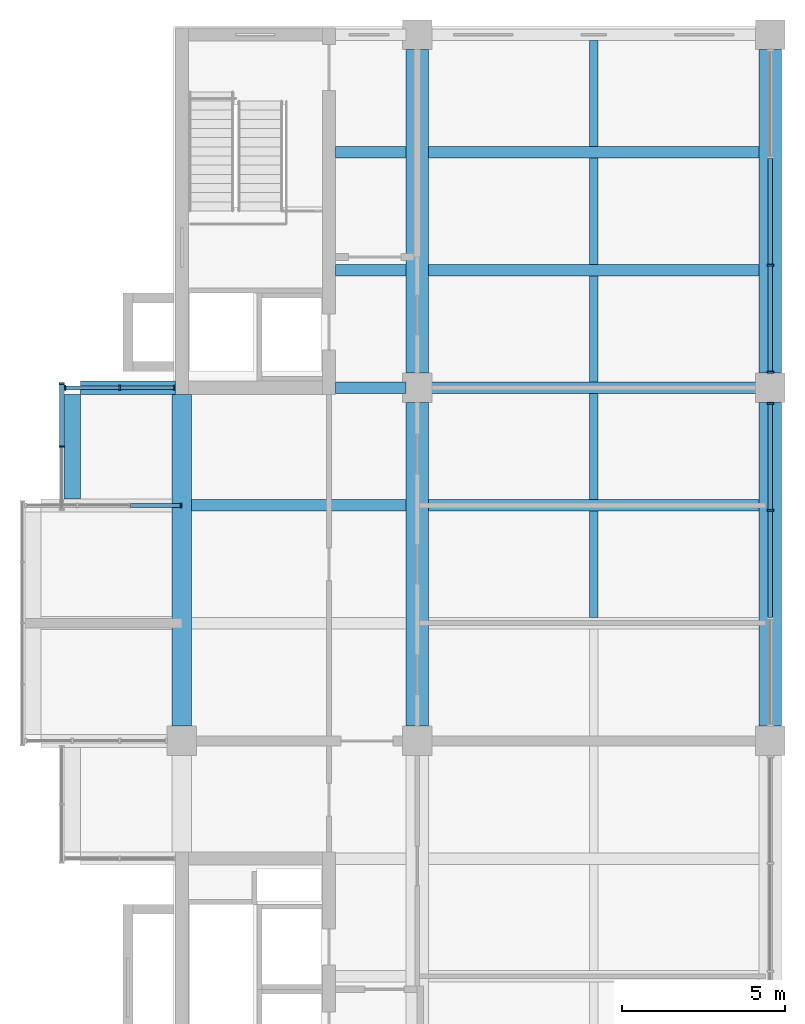
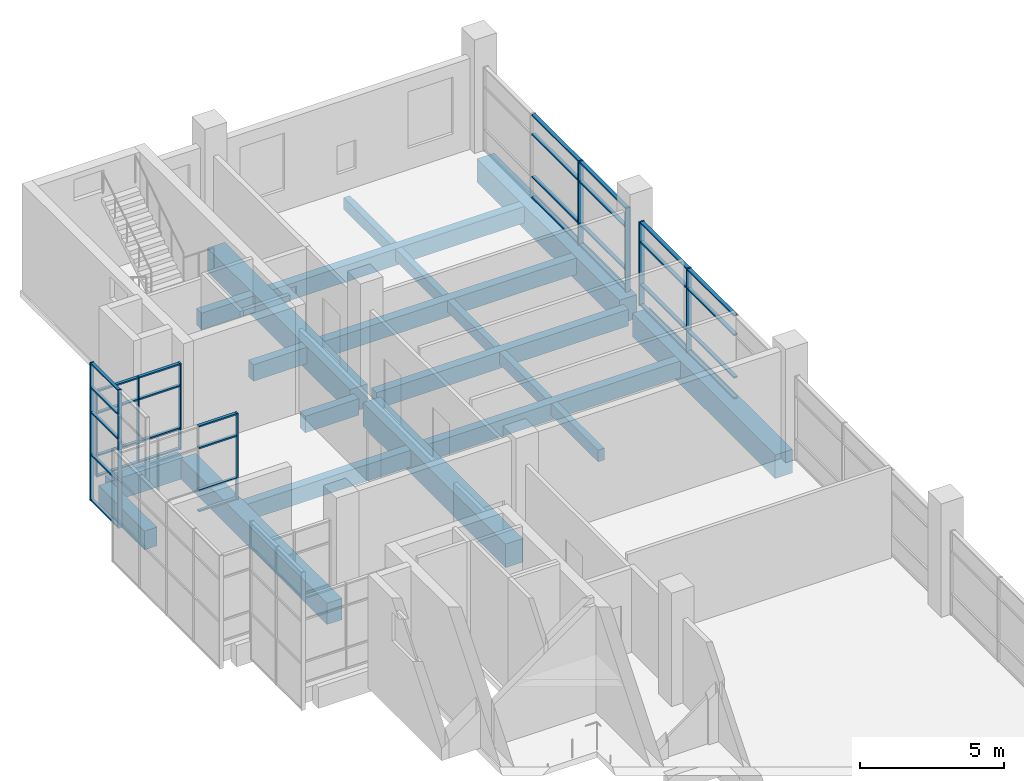
# One storey, part 7 of 15: 43 members, 20 beams, 5 elements without a shape of their own.
"""IFC4 building model written with IfcOpenShell, lengths in metres."""

from ifc_helpers import new_model, si_unit, direction, frame, origin, origin_2d, place, context, subcontext, project, spatial, rectangle, extrude, material, layer, layer_set, material_profile, profile_set, type_object, element, aggregate, save


model = new_model("IFC4")

# Units and contexts
model_context = context("Model", 3, precision=1e-05, world=origin(), true_north=direction((0.0, 1.0)))
body_context = subcontext(model_context, "Body", "Model", "MODEL_VIEW")
ifc_project = project(units=[si_unit("LENGTHUNIT", "METRE"), si_unit("AREAUNIT", "SQUARE_METRE"), si_unit("VOLUMEUNIT", "CUBIC_METRE"), si_unit("PLANEANGLEUNIT", "RADIAN"), si_unit("MASSUNIT", "GRAM", prefix="KILO")], contexts=[model_context])

# Site, building, storey
site_placement = place(None, origin())
site = spatial("IfcSite", under=ifc_project, at=site_placement, CompositionType="ELEMENT")
building_placement = place(site_placement, origin())
building = spatial("IfcBuilding", under=site, at=building_placement, Name="Basin Gate Institute", CompositionType="ELEMENT")
storey_placement = place(building_placement, frame((0.0, 0.0, 55.800048828125)))
storey = spatial("IfcBuildingStorey", under=building, at=storey_placement, Name="L11", CompositionType="ELEMENT", Elevation=55.800048828125)

# Beams
ifc_material_1 = material(Name="Concrete 40 MPa", Category="concrete")
ifc_material_profile_1 = material_profile(ifc_material_1, rectangle(XDim=0.35009765625, YDim=0.699951171875, at=origin_2d()), Name="Beam B1 350 x 700")
ifc_profile_set_1 = profile_set([ifc_material_profile_1], Name="Concrete 40 MPa")
beam_type_1 = type_object("IfcBeamType", Name="Beam B1 R120", PredefinedType="BEAM", material=ifc_profile_set_1)
beam_1_placement = place(storey_placement, frame((68.75, 85.5, -0.60009765625), z_axis=(1.0, 0.0, 0.0), x_axis=(0.0, 1.0, 0.0)))
element("IfcBeam", 1, at=beam_1_placement, inside=storey, type_object=beam_type_1, material=ifc_profile_set_1, Name="BEAM/L11/W/EW/15", PredefinedType="BEAM", context=body_context, shape_type="SweptSolid", body=[
    extrude(rectangle(XDim=0.35009765625, YDim=0.699951171875, at=origin_2d()), origin(), (0.0, 0.0, 1.0), 10.10009765625),
])
beam_2_placement = place(storey_placement, frame((61.5, 85.5, -0.60009765625), z_axis=(1.0, 0.0, 0.0), x_axis=(0.0, 1.0, 0.0)))
element("IfcBeam", 2, at=beam_2_placement, inside=storey, type_object=beam_type_1, material=ifc_profile_set_1, Name="BEAM/L11/W/OUT/15", PredefinedType="BEAM", context=body_context, shape_type="SweptSolid", body=[
    extrude(rectangle(XDim=0.35009765625, YDim=0.699951171875, at=origin_2d()), origin(), (0.0, 0.0, 1.0), 6.550048828125),
])
beam_3_placement = place(storey_placement, frame((68.75, 89.10009765625, -0.60009765625), z_axis=(1.0, 0.0, 0.0), x_axis=(0.0, 1.0, 0.0)))
element("IfcBeam", 3, at=beam_3_placement, inside=storey, type_object=beam_type_1, material=ifc_profile_set_1, Name="BEAM/L11/W/EW/16", PredefinedType="BEAM", context=body_context, shape_type="SweptSolid", body=[
    extrude(rectangle(XDim=0.35009765625, YDim=0.699951171875, at=origin_2d()), origin(), (0.0, 0.0, 1.0), 10.10009765625),
])
beam_4_placement = place(storey_placement, frame((65.89990234375, 89.10009765625, -0.60009765625), z_axis=(1.0, 0.0, 0.0), x_axis=(0.0, 1.0, 0.0)))
element("IfcBeam", 4, at=beam_4_placement, inside=storey, type_object=beam_type_1, material=ifc_profile_set_1, Name="BEAM/L11/W/CORR/16", PredefinedType="BEAM", context=body_context, shape_type="SweptSolid", body=[
    extrude(rectangle(XDim=0.35009765625, YDim=0.699951171875, at=origin_2d()), origin(), (0.0, 0.0, 1.0), 2.150146484375),
])
beam_5_placement = place(storey_placement, frame((68.75, 92.699951171875, -0.60009765625), z_axis=(1.0, 0.0, 0.0), x_axis=(0.0, 1.0, 0.0)))
element("IfcBeam", 5, at=beam_5_placement, inside=storey, type_object=beam_type_1, material=ifc_profile_set_1, Name="BEAM/L11/W/EW/17", PredefinedType="BEAM", context=body_context, shape_type="SweptSolid", body=[
    extrude(rectangle(XDim=0.35009765625, YDim=0.699951171875, at=origin_2d()), origin(), (0.0, 0.0, 1.0), 10.10009765625),
])
beam_6_placement = place(storey_placement, frame((65.89990234375, 92.699951171875, -0.60009765625), z_axis=(1.0, 0.0, 0.0), x_axis=(0.0, 1.0, 0.0)))
element("IfcBeam", 6, at=beam_6_placement, inside=storey, type_object=beam_type_1, material=ifc_profile_set_1, Name="BEAM/L11/W/CORR/17", PredefinedType="BEAM", context=body_context, shape_type="SweptSolid", body=[
    extrude(rectangle(XDim=0.35009765625, YDim=0.699951171875, at=origin_2d()), origin(), (0.0, 0.0, 1.0), 2.150146484375),
])
beam_7_placement = place(storey_placement, frame((68.75, 96.300048828125, -0.60009765625), z_axis=(1.0, 0.0, 0.0), x_axis=(0.0, 1.0, 0.0)))
element("IfcBeam", 7, at=beam_7_placement, inside=storey, type_object=beam_type_1, material=ifc_profile_set_1, Name="BEAM/L11/W/EW/18", PredefinedType="BEAM", context=body_context, shape_type="SweptSolid", body=[
    extrude(rectangle(XDim=0.35009765625, YDim=0.699951171875, at=origin_2d()), origin(), (0.0, 0.0, 1.0), 10.10009765625),
])
beam_8_placement = place(storey_placement, frame((65.89990234375, 96.300048828125, -0.60009765625), z_axis=(1.0, 0.0, 0.0), x_axis=(0.0, 1.0, 0.0)))
element("IfcBeam", 8, at=beam_8_placement, inside=storey, type_object=beam_type_1, material=ifc_profile_set_1, Name="BEAM/L11/W/CORR/18", PredefinedType="BEAM", context=body_context, shape_type="SweptSolid", body=[
    extrude(rectangle(XDim=0.35009765625, YDim=0.699951171875, at=origin_2d()), origin(), (0.0, 0.0, 1.0), 2.150146484375),
])
ifc_material_2 = material(Name="Concrete 50 MPa", Category="concrete")
ifc_material_profile_2 = material_profile(ifc_material_2, rectangle(XDim=0.39990234375, YDim=0.89990234375, at=origin_2d()), Name="Cantilever beam B3 400 x 900")
ifc_profile_set_2 = profile_set([ifc_material_profile_2], Name="Concrete 50 MPa")
beam_type_2 = type_object("IfcBeamType", Name="Cantilever beam B3 R120", PredefinedType="BEAM", material=ifc_profile_set_2)
beam_9_placement = place(storey_placement, frame((58.10009765625, 89.10009765625, -0.699951171875), z_axis=(1.0, 0.0, 0.0), x_axis=(0.0, 1.0, 0.0)))
element("IfcBeam", 9, at=beam_9_placement, inside=storey, type_object=beam_type_2, material=ifc_profile_set_2, Name="BEAM/L11/W/CANT/16", PredefinedType="BEAM", context=body_context, shape_type="SweptSolid", body=[
    extrude(rectangle(XDim=0.39990234375, YDim=0.89990234375, at=origin_2d()), origin(), (0.0, 0.0, 1.0), 2.89990234375),
])
ifc_material_3 = material(Name="Concrete 50 MPa", Category="concrete")
ifc_material_profile_3 = material_profile(ifc_material_3, rectangle(XDim=0.60009765625, YDim=0.89990234375, at=origin_2d()), Name="Edge beam EB1 600 x 900")
ifc_profile_set_3 = profile_set([ifc_material_profile_3], Name="Concrete 50 MPa")
beam_type_3 = type_object("IfcBeamType", Name="Edge beam EB1 R120", PredefinedType="SPANDREL", material=ifc_profile_set_3)
beam_10_placement = place(storey_placement, frame((61.199951171875, 78.75, -0.699951171875), z_axis=(0.0, 1.0, 0.0), x_axis=(-1.0, 0.0, 0.0)))
element("IfcBeam", 10, at=beam_10_placement, inside=storey, type_object=beam_type_3, material=ifc_profile_set_3, Name="BEAM/L11/W/EDGE/4", PredefinedType="SPANDREL", context=body_context, shape_type="SweptSolid", body=[
    extrude(rectangle(XDim=0.60009765625, YDim=0.89990234375, at=origin_2d()), origin(), (0.0, 0.0, 1.0), 10.14990234375),
])
ifc_material_4 = material(Name="Concrete 50 MPa", Category="concrete")
ifc_material_profile_4 = material_profile(ifc_material_4, rectangle(XDim=0.699951171875, YDim=1.0, at=origin_2d()), Name="Girder G1 700 x 1000")
ifc_profile_set_4 = profile_set([ifc_material_profile_4], Name="Concrete 50 MPa")
beam_type_4 = type_object("IfcBeamType", Name="Girder G1 R120", PredefinedType="BEAM", material=ifc_profile_set_4)
for number, where, z_axis, x_axis, name in (
    (11, (68.39990234375, 78.75, -0.75), (0.0, 1.0, 0.0), (-1.0, 0.0, 0.0), "GIR/L11/W5/5"),
    (12, (68.39990234375, 89.550048828125, -0.75), (0.0, 1.0, 0.0), (-1.0, 0.0, 0.0), "GIR/L11/W5/6"),
    (13, (79.199951171875, 78.75, -0.75), (0.0, 1.0, 0.0), (-1.0, 0.0, 0.0), "GIR/L11/W6/5"),
    (14, (79.199951171875, 89.550048828125, -0.75), (0.0, 1.0, 0.0), (-1.0, 0.0, 0.0), "GIR/L11/W6/6"),
):
    element("IfcBeam", number, at=place(storey_placement, frame(where, z_axis=z_axis, x_axis=x_axis)), inside=storey, type_object=beam_type_4, material=ifc_profile_set_4, Name=name, PredefinedType="BEAM", context=body_context, shape_type="SweptSolid", body=[
        extrude(rectangle(XDim=0.699951171875, YDim=1.0, at=origin_2d()), origin(), (0.0, 0.0, 1.0), 9.89990234375),
    ])

# Curtain wall, member
ifc_material_5 = material(Name="Aluminium-framed glazing", Category="aluminium")
ifc_layer_1 = layer(ifc_material_5, 0.14990234375)
ifc_layer_set_1 = layer_set([ifc_layer_1], Name="Capsule front curtain wall CW1")
curtain_wall_type_1 = type_object("IfcCurtainWallType", Name="Capsule front curtain wall CW1", PredefinedType="NOTDEFINED", material=ifc_layer_set_1)
curtain_wall_1_placement = place(storey_placement, origin())
curtain_wall_1 = element("IfcCurtainWall", 15, at=curtain_wall_1_placement, inside=storey, type_object=curtain_wall_type_1, material=ifc_layer_set_1, Name="Capsule front curtain wall W wing capsule end L11 line 15", PredefinedType="NOTDEFINED")
ifc_material_6 = material(Name="Aluminium", Category="aluminium")
ifc_material_profile_5 = material_profile(ifc_material_6, rectangle(XDim=0.14990234375, YDim=0.050048828125, at=origin_2d()), Name="Mullion MU1 150 x 50")
ifc_profile_set_5 = profile_set([ifc_material_profile_5], Name="Aluminium")
member_type_1 = type_object("IfcMemberType", Name="Mullion MU1", PredefinedType="MULLION", material=ifc_profile_set_5)
member_1_placement = place(storey_placement, frame((61.175048828125, 85.5, 0.0), z_axis=(0.0, 0.0, 1.0), x_axis=(0.0, 1.0, 0.0)))
member_1 = element("IfcMember", 16, at=member_1_placement, type_object=member_type_1, material=ifc_profile_set_5, Name="CW1 mullion 4", PredefinedType="MULLION", context=body_context, shape_type="SweptSolid", body=[
    extrude(rectangle(XDim=0.14990234375, YDim=0.050048828125, at=origin_2d()), origin(), (0.0, 0.0, 1.0), 3.64990234375),
])

# Curtain wall, members
curtain_wall_2_placement = place(storey_placement, origin())
curtain_wall_2 = element("IfcCurtainWall", 17, at=curtain_wall_2_placement, inside=storey, type_object=curtain_wall_type_1, material=ifc_layer_set_1, Name="Capsule front curtain wall W wing capsule end L11 line 16", PredefinedType="NOTDEFINED")
member_2_placement = place(storey_placement, frame((57.625, 89.10009765625, 0.0), z_axis=(0.0, 0.0, 1.0), x_axis=(0.0, 1.0, 0.0)))
member_2 = element("IfcMember", 18, at=member_2_placement, type_object=member_type_1, material=ifc_profile_set_5, Name="CW1 mullion 1", PredefinedType="MULLION", context=body_context, shape_type="SweptSolid", body=[
    extrude(rectangle(XDim=0.14990234375, YDim=0.050048828125, at=origin_2d()), origin(), (0.0, 0.0, 1.0), 3.64990234375),
])
member_3_placement = place(storey_placement, frame((59.300048828125, 89.10009765625, 0.0), z_axis=(0.0, 0.0, 1.0), x_axis=(0.0, 1.0, 0.0)))
member_3 = element("IfcMember", 19, at=member_3_placement, type_object=member_type_1, material=ifc_profile_set_5, Name="CW1 mullion 2", PredefinedType="MULLION", context=body_context, shape_type="SweptSolid", body=[
    extrude(rectangle(XDim=0.14990234375, YDim=0.050048828125, at=origin_2d()), origin(), (0.0, 0.0, 1.0), 3.64990234375),
])
member_4_placement = place(storey_placement, frame((60.97509765625, 89.10009765625, 0.0), z_axis=(0.0, 0.0, 1.0), x_axis=(0.0, 1.0, 0.0)))
member_4 = element("IfcMember", 20, at=member_4_placement, type_object=member_type_1, material=ifc_profile_set_5, Name="CW1 mullion 3", PredefinedType="MULLION", context=body_context, shape_type="SweptSolid", body=[
    extrude(rectangle(XDim=0.14990234375, YDim=0.050048828125, at=origin_2d()), origin(), (0.0, 0.0, 1.0), 3.64990234375),
])

curtain_wall_3_placement = place(storey_placement, origin())
curtain_wall_3 = element("IfcCurtainWall", 21, at=curtain_wall_3_placement, inside=storey, type_object=curtain_wall_type_1, material=ifc_layer_set_1, Name="Capsule front curtain wall W wing capsule 2 L11 front 4", PredefinedType="NOTDEFINED")
member_5_placement = place(storey_placement, frame((57.52490234375, 87.300048828125, -1.050048828125), z_axis=(0.0, 0.0, 1.0), x_axis=(-1.0, 0.0, 0.0)))
member_5 = element("IfcMember", 22, at=member_5_placement, type_object=member_type_1, material=ifc_profile_set_5, Name="CW1 mullion 2", PredefinedType="MULLION", context=body_context, shape_type="SweptSolid", body=[
    extrude(rectangle(XDim=0.14990234375, YDim=0.050048828125, at=origin_2d()), origin(), (0.0, 0.0, 1.0), 5.85009765625),
])
member_6_placement = place(storey_placement, frame((57.52490234375, 89.22509765625, -1.050048828125), z_axis=(0.0, 0.0, 1.0), x_axis=(-1.0, 0.0, 0.0)))
member_6 = element("IfcMember", 23, at=member_6_placement, type_object=member_type_1, material=ifc_profile_set_5, Name="CW1 mullion 3", PredefinedType="MULLION", context=body_context, shape_type="SweptSolid", body=[
    extrude(rectangle(XDim=0.14990234375, YDim=0.050048828125, at=origin_2d()), origin(), (0.0, 0.0, 1.0), 5.85009765625),
])

ifc_material_7 = material(Name="Aluminium-framed glazing", Category="aluminium")
ifc_layer_2 = layer(ifc_material_7, 0.199951171875)
ifc_layer_set_2 = layer_set([ifc_layer_2], Name="Atrium curtain wall CW2")
curtain_wall_type_2 = type_object("IfcCurtainWallType", Name="Atrium curtain wall CW2", PredefinedType="NOTDEFINED", material=ifc_layer_set_2)
curtain_wall_4_placement = place(storey_placement, origin())
curtain_wall_4 = element("IfcCurtainWall", 24, at=curtain_wall_4_placement, inside=storey, type_object=curtain_wall_type_2, material=ifc_layer_set_2, Name="Atrium curtain wall W wing atrium bay 5 L11", PredefinedType="NOTDEFINED")
ifc_material_8 = material(Name="Aluminium", Category="aluminium")
ifc_material_profile_6 = material_profile(ifc_material_8, rectangle(XDim=0.199951171875, YDim=0.06005859375, at=origin_2d()), Name="Mullion MU2 200 x 60")
ifc_profile_set_6 = profile_set([ifc_material_profile_6], Name="Aluminium")
member_type_2 = type_object("IfcMemberType", Name="Mullion MU2", PredefinedType="MULLION", material=ifc_profile_set_6)
member_7_placement = place(storey_placement, frame((79.199951171875, 85.35009765625, 0.0), z_axis=(0.0, 0.0, 1.0), x_axis=(-1.0, 0.0, 0.0)))
member_7 = element("IfcMember", 25, at=member_7_placement, type_object=member_type_2, material=ifc_profile_set_6, Name="CW2 mullion 3", PredefinedType="MULLION", context=body_context, shape_type="SweptSolid", body=[
    extrude(rectangle(XDim=0.199951171875, YDim=0.06005859375, at=origin_2d()), origin(), (0.0, 0.0, 1.0), 3.550048828125),
])
member_8_placement = place(storey_placement, frame((79.199951171875, 88.6201171875, 0.0), z_axis=(0.0, 0.0, 1.0), x_axis=(-1.0, 0.0, 0.0)))
member_8 = element("IfcMember", 26, at=member_8_placement, type_object=member_type_2, material=ifc_profile_set_6, Name="CW2 mullion 4", PredefinedType="MULLION", context=body_context, shape_type="SweptSolid", body=[
    extrude(rectangle(XDim=0.199951171875, YDim=0.06005859375, at=origin_2d()), origin(), (0.0, 0.0, 1.0), 3.550048828125),
])

curtain_wall_5_placement = place(storey_placement, origin())
curtain_wall_5 = element("IfcCurtainWall", 27, at=curtain_wall_5_placement, inside=storey, type_object=curtain_wall_type_2, material=ifc_layer_set_2, Name="Atrium curtain wall W wing atrium bay 6 L11", PredefinedType="NOTDEFINED")
member_9_placement = place(storey_placement, frame((79.199951171875, 89.580078125, 0.0), z_axis=(0.0, 0.0, 1.0), x_axis=(-1.0, 0.0, 0.0)))
member_9 = element("IfcMember", 28, at=member_9_placement, type_object=member_type_2, material=ifc_profile_set_6, Name="CW2 mullion 1", PredefinedType="MULLION", context=body_context, shape_type="SweptSolid", body=[
    extrude(rectangle(XDim=0.199951171875, YDim=0.06005859375, at=origin_2d()), origin(), (0.0, 0.0, 1.0), 3.550048828125),
])
member_10_placement = place(storey_placement, frame((79.199951171875, 92.85009765625, 0.0), z_axis=(0.0, 0.0, 1.0), x_axis=(-1.0, 0.0, 0.0)))
member_10 = element("IfcMember", 29, at=member_10_placement, type_object=member_type_2, material=ifc_profile_set_6, Name="CW2 mullion 2", PredefinedType="MULLION", context=body_context, shape_type="SweptSolid", body=[
    extrude(rectangle(XDim=0.199951171875, YDim=0.06005859375, at=origin_2d()), origin(), (0.0, 0.0, 1.0), 3.550048828125),
])

# Beams
ifc_material_9 = material(Name="Concrete 40 MPa", Category="concrete")
ifc_material_profile_7 = material_profile(ifc_material_9, rectangle(XDim=0.25, YDim=0.5, at=origin_2d()), Name="Rib R1 250 x 500")
ifc_profile_set_7 = profile_set([ifc_material_profile_7], Name="Concrete 40 MPa")
beam_type_5 = type_object("IfcBeamType", Name="Rib R1 R120", PredefinedType="JOIST", material=ifc_profile_set_7)
for number, where, z_axis, x_axis, name in (
    (30, (73.800048828125, 82.074951171875, -0.5), (0.0, 1.0, 0.0), (-1.0, 0.0, 0.0), "BEAM/L11/W/RIB/14"),
    (31, (73.800048828125, 85.675048828125, -0.5), (0.0, 1.0, 0.0), (-1.0, 0.0, 0.0), "BEAM/L11/W/RIB/15"),
    (32, (73.800048828125, 89.27490234375, -0.5), (0.0, 1.0, 0.0), (-1.0, 0.0, 0.0), "BEAM/L11/W/RIB/16"),
    (33, (73.800048828125, 92.875, -0.5), (0.0, 1.0, 0.0), (-1.0, 0.0, 0.0), "BEAM/L11/W/RIB/17"),
    (34, (73.800048828125, 96.47509765625, -0.5), (0.0, 1.0, 0.0), (-1.0, 0.0, 0.0), "BEAM/L11/W/RIB/18"),
):
    element("IfcBeam", number, at=place(storey_placement, frame(where, z_axis=z_axis, x_axis=x_axis)), inside=storey, type_object=beam_type_5, material=ifc_profile_set_7, Name=name, PredefinedType="JOIST", context=body_context, shape_type="SweptSolid", body=[
        extrude(rectangle(XDim=0.25, YDim=0.5, at=origin_2d()), origin(), (0.0, 0.0, 1.0), 3.25),
    ])
ifc_material_10 = material(Name="Concrete 50 MPa", Category="concrete")
ifc_material_profile_8 = material_profile(ifc_material_10, rectangle(XDim=0.5, YDim=0.800048828125, at=origin_2d()), Name="Tip beam TB1 500 x 800")
ifc_profile_set_8 = profile_set([ifc_material_profile_8], Name="Concrete 50 MPa")
beam_type_6 = type_object("IfcBeamType", Name="Tip beam TB1 R120", PredefinedType="SPANDREL", material=ifc_profile_set_8)
beam_11_placement = place(storey_placement, frame((57.85009765625, 85.699951171875, -0.650146484375), z_axis=(0.0, 1.0, 0.0), x_axis=(-1.0, 0.0, 0.0)))
element("IfcBeam", 35, at=beam_11_placement, inside=storey, type_object=beam_type_6, material=ifc_profile_set_8, Name="BEAM/L11/W/TIP/8", PredefinedType="SPANDREL", context=body_context, shape_type="SweptSolid", body=[
    extrude(rectangle(XDim=0.5, YDim=0.800048828125, at=origin_2d()), origin(), (0.0, 0.0, 1.0), 3.199951171875),
])

# Member
ifc_material_11 = material(Name="Aluminium", Category="aluminium")
ifc_material_profile_9 = material_profile(ifc_material_11, rectangle(XDim=0.1201171875, YDim=0.06005859375, at=origin_2d()), Name="Transom TR1 120 x 60")
ifc_profile_set_9 = profile_set([ifc_material_profile_9], Name="Aluminium")
member_type_3 = type_object("IfcMemberType", Name="Transom TR1", PredefinedType="USERDEFINED", material=ifc_profile_set_9)
member_11_placement = place(storey_placement, frame((59.625, 85.5, 0.030029296875), z_axis=(1.0, 0.0, 0.0), x_axis=(0.0, 1.0, 0.0)))
member_11 = element("IfcMember", 36, at=member_11_placement, type_object=member_type_3, material=ifc_profile_set_9, Name="CW1 transom 3.1", ObjectType="TRANSOM", PredefinedType="USERDEFINED", context=body_context, shape_type="SweptSolid", body=[
    extrude(rectangle(XDim=0.1201171875, YDim=0.06005859375, at=origin_2d()), origin(), (0.0, 0.0, 1.0), 1.52490234375),
])

member_12_placement = place(storey_placement, frame((59.625, 85.5, 0.89990234375), z_axis=(1.0, 0.0, 0.0), x_axis=(0.0, 1.0, 0.0)))
member_12 = element("IfcMember", 37, at=member_12_placement, type_object=member_type_3, material=ifc_profile_set_9, Name="CW1 transom 3.2", ObjectType="TRANSOM", PredefinedType="USERDEFINED", context=body_context, shape_type="SweptSolid", body=[
    extrude(rectangle(XDim=0.1201171875, YDim=0.06005859375, at=origin_2d()), origin(), (0.0, 0.0, 1.0), 1.52490234375),
])

member_13_placement = place(storey_placement, frame((59.625, 85.5, 2.699951171875), z_axis=(1.0, 0.0, 0.0), x_axis=(0.0, 1.0, 0.0)))
member_13 = element("IfcMember", 38, at=member_13_placement, type_object=member_type_3, material=ifc_profile_set_9, Name="CW1 transom 3.3", ObjectType="TRANSOM", PredefinedType="USERDEFINED", context=body_context, shape_type="SweptSolid", body=[
    extrude(rectangle(XDim=0.1201171875, YDim=0.06005859375, at=origin_2d()), origin(), (0.0, 0.0, 1.0), 1.52490234375),
])

member_14_placement = place(storey_placement, frame((59.625, 85.5, 3.619873046875), z_axis=(1.0, 0.0, 0.0), x_axis=(0.0, 1.0, 0.0)))
member_14 = element("IfcMember", 39, at=member_14_placement, type_object=member_type_3, material=ifc_profile_set_9, Name="CW1 transom 3.4", ObjectType="TRANSOM", PredefinedType="USERDEFINED", context=body_context, shape_type="SweptSolid", body=[
    extrude(rectangle(XDim=0.1201171875, YDim=0.06005859375, at=origin_2d()), origin(), (0.0, 0.0, 1.0), 1.52490234375),
])

aggregate(curtain_wall_1, [member_1, member_11, member_12, member_13, member_14])

member_15_placement = place(storey_placement, frame((57.64990234375, 89.10009765625, 0.030029296875), z_axis=(1.0, 0.0, 0.0), x_axis=(0.0, 1.0, 0.0)))
member_15 = element("IfcMember", 40, at=member_15_placement, type_object=member_type_3, material=ifc_profile_set_9, Name="CW1 transom 1.1", ObjectType="TRANSOM", PredefinedType="USERDEFINED", context=body_context, shape_type="SweptSolid", body=[
    extrude(rectangle(XDim=0.1201171875, YDim=0.06005859375, at=origin_2d()), origin(), (0.0, 0.0, 1.0), 1.625),
])

member_16_placement = place(storey_placement, frame((57.64990234375, 89.10009765625, 0.89990234375), z_axis=(1.0, 0.0, 0.0), x_axis=(0.0, 1.0, 0.0)))
member_16 = element("IfcMember", 41, at=member_16_placement, type_object=member_type_3, material=ifc_profile_set_9, Name="CW1 transom 1.2", ObjectType="TRANSOM", PredefinedType="USERDEFINED", context=body_context, shape_type="SweptSolid", body=[
    extrude(rectangle(XDim=0.1201171875, YDim=0.06005859375, at=origin_2d()), origin(), (0.0, 0.0, 1.0), 1.625),
])

member_17_placement = place(storey_placement, frame((57.64990234375, 89.10009765625, 2.699951171875), z_axis=(1.0, 0.0, 0.0), x_axis=(0.0, 1.0, 0.0)))
member_17 = element("IfcMember", 42, at=member_17_placement, type_object=member_type_3, material=ifc_profile_set_9, Name="CW1 transom 1.3", ObjectType="TRANSOM", PredefinedType="USERDEFINED", context=body_context, shape_type="SweptSolid", body=[
    extrude(rectangle(XDim=0.1201171875, YDim=0.06005859375, at=origin_2d()), origin(), (0.0, 0.0, 1.0), 1.625),
])

member_18_placement = place(storey_placement, frame((57.64990234375, 89.10009765625, 3.619873046875), z_axis=(1.0, 0.0, 0.0), x_axis=(0.0, 1.0, 0.0)))
member_18 = element("IfcMember", 43, at=member_18_placement, type_object=member_type_3, material=ifc_profile_set_9, Name="CW1 transom 1.4", ObjectType="TRANSOM", PredefinedType="USERDEFINED", context=body_context, shape_type="SweptSolid", body=[
    extrude(rectangle(XDim=0.1201171875, YDim=0.06005859375, at=origin_2d()), origin(), (0.0, 0.0, 1.0), 1.625),
])

member_19_placement = place(storey_placement, frame((59.324951171875, 89.10009765625, 0.030029296875), z_axis=(1.0, 0.0, 0.0), x_axis=(0.0, 1.0, 0.0)))
member_19 = element("IfcMember", 44, at=member_19_placement, type_object=member_type_3, material=ifc_profile_set_9, Name="CW1 transom 2.1", ObjectType="TRANSOM", PredefinedType="USERDEFINED", context=body_context, shape_type="SweptSolid", body=[
    extrude(rectangle(XDim=0.1201171875, YDim=0.06005859375, at=origin_2d()), origin(), (0.0, 0.0, 1.0), 1.625),
])

member_20_placement = place(storey_placement, frame((59.324951171875, 89.10009765625, 0.89990234375), z_axis=(1.0, 0.0, 0.0), x_axis=(0.0, 1.0, 0.0)))
member_20 = element("IfcMember", 45, at=member_20_placement, type_object=member_type_3, material=ifc_profile_set_9, Name="CW1 transom 2.2", ObjectType="TRANSOM", PredefinedType="USERDEFINED", context=body_context, shape_type="SweptSolid", body=[
    extrude(rectangle(XDim=0.1201171875, YDim=0.06005859375, at=origin_2d()), origin(), (0.0, 0.0, 1.0), 1.625),
])

member_21_placement = place(storey_placement, frame((59.324951171875, 89.10009765625, 2.699951171875), z_axis=(1.0, 0.0, 0.0), x_axis=(0.0, 1.0, 0.0)))
member_21 = element("IfcMember", 46, at=member_21_placement, type_object=member_type_3, material=ifc_profile_set_9, Name="CW1 transom 2.3", ObjectType="TRANSOM", PredefinedType="USERDEFINED", context=body_context, shape_type="SweptSolid", body=[
    extrude(rectangle(XDim=0.1201171875, YDim=0.06005859375, at=origin_2d()), origin(), (0.0, 0.0, 1.0), 1.625),
])

member_22_placement = place(storey_placement, frame((59.324951171875, 89.10009765625, 3.619873046875), z_axis=(1.0, 0.0, 0.0), x_axis=(0.0, 1.0, 0.0)))
member_22 = element("IfcMember", 47, at=member_22_placement, type_object=member_type_3, material=ifc_profile_set_9, Name="CW1 transom 2.4", ObjectType="TRANSOM", PredefinedType="USERDEFINED", context=body_context, shape_type="SweptSolid", body=[
    extrude(rectangle(XDim=0.1201171875, YDim=0.06005859375, at=origin_2d()), origin(), (0.0, 0.0, 1.0), 1.625),
])

aggregate(curtain_wall_2, [member_2, member_3, member_4, member_15, member_16, member_17, member_18, member_19, member_20, member_21, member_22])

member_23_placement = place(storey_placement, frame((57.52490234375, 87.324951171875, -1.02001953125), z_axis=(0.0, 1.0, 0.0), x_axis=(-1.0, 0.0, 0.0)))
member_23 = element("IfcMember", 48, at=member_23_placement, type_object=member_type_3, material=ifc_profile_set_9, Name="CW1 transom 2.1", ObjectType="TRANSOM", PredefinedType="USERDEFINED", context=body_context, shape_type="SweptSolid", body=[
    extrude(rectangle(XDim=0.1201171875, YDim=0.06005859375, at=origin_2d()), origin(), (0.0, 0.0, 1.0), 1.875),
])

member_24_placement = place(storey_placement, frame((57.52490234375, 87.324951171875, 0.89990234375), z_axis=(0.0, 1.0, 0.0), x_axis=(-1.0, 0.0, 0.0)))
member_24 = element("IfcMember", 49, at=member_24_placement, type_object=member_type_3, material=ifc_profile_set_9, Name="CW1 transom 2.2", ObjectType="TRANSOM", PredefinedType="USERDEFINED", context=body_context, shape_type="SweptSolid", body=[
    extrude(rectangle(XDim=0.1201171875, YDim=0.06005859375, at=origin_2d()), origin(), (0.0, 0.0, 1.0), 1.875),
])

member_25_placement = place(storey_placement, frame((57.52490234375, 87.324951171875, 2.699951171875), z_axis=(0.0, 1.0, 0.0), x_axis=(-1.0, 0.0, 0.0)))
member_25 = element("IfcMember", 50, at=member_25_placement, type_object=member_type_3, material=ifc_profile_set_9, Name="CW1 transom 2.3", ObjectType="TRANSOM", PredefinedType="USERDEFINED", context=body_context, shape_type="SweptSolid", body=[
    extrude(rectangle(XDim=0.1201171875, YDim=0.06005859375, at=origin_2d()), origin(), (0.0, 0.0, 1.0), 1.875),
])

member_26_placement = place(storey_placement, frame((57.52490234375, 87.324951171875, 3.75), z_axis=(0.0, 1.0, 0.0), x_axis=(-1.0, 0.0, 0.0)))
member_26 = element("IfcMember", 51, at=member_26_placement, type_object=member_type_3, material=ifc_profile_set_9, Name="CW1 transom 2.4", ObjectType="TRANSOM", PredefinedType="USERDEFINED", context=body_context, shape_type="SweptSolid", body=[
    extrude(rectangle(XDim=0.1201171875, YDim=0.06005859375, at=origin_2d()), origin(), (0.0, 0.0, 1.0), 1.875),
])

member_27_placement = place(storey_placement, frame((57.52490234375, 87.324951171875, 4.77001953125), z_axis=(0.0, 1.0, 0.0), x_axis=(-1.0, 0.0, 0.0)))
member_27 = element("IfcMember", 52, at=member_27_placement, type_object=member_type_3, material=ifc_profile_set_9, Name="CW1 transom 2.5", ObjectType="TRANSOM", PredefinedType="USERDEFINED", context=body_context, shape_type="SweptSolid", body=[
    extrude(rectangle(XDim=0.1201171875, YDim=0.06005859375, at=origin_2d()), origin(), (0.0, 0.0, 1.0), 1.875),
])

aggregate(curtain_wall_3, [member_5, member_6, member_23, member_24, member_25, member_26, member_27])

ifc_material_12 = material(Name="Aluminium", Category="aluminium")
ifc_material_profile_10 = material_profile(ifc_material_12, rectangle(XDim=0.14990234375, YDim=0.06005859375, at=origin_2d()), Name="Transom TR2 150 x 60")
ifc_profile_set_10 = profile_set([ifc_material_profile_10], Name="Aluminium")
member_type_4 = type_object("IfcMemberType", Name="Transom TR2", PredefinedType="USERDEFINED", material=ifc_profile_set_10)
member_28_placement = place(storey_placement, frame((79.199951171875, 82.080078125, 0.030029296875), z_axis=(0.0, 1.0, 0.0), x_axis=(-1.0, 0.0, 0.0)))
member_28 = element("IfcMember", 53, at=member_28_placement, type_object=member_type_4, material=ifc_profile_set_10, Name="CW2 transom 2.1", ObjectType="TRANSOM", PredefinedType="USERDEFINED", context=body_context, shape_type="SweptSolid", body=[
    extrude(rectangle(XDim=0.14990234375, YDim=0.06005859375, at=origin_2d()), origin(), (0.0, 0.0, 1.0), 3.239990234375),
])

member_29_placement = place(storey_placement, frame((79.199951171875, 82.080078125, 0.89990234375), z_axis=(0.0, 1.0, 0.0), x_axis=(-1.0, 0.0, 0.0)))
member_29 = element("IfcMember", 54, at=member_29_placement, type_object=member_type_4, material=ifc_profile_set_10, Name="CW2 transom 2.2", ObjectType="TRANSOM", PredefinedType="USERDEFINED", context=body_context, shape_type="SweptSolid", body=[
    extrude(rectangle(XDim=0.14990234375, YDim=0.06005859375, at=origin_2d()), origin(), (0.0, 0.0, 1.0), 3.239990234375),
])

member_30_placement = place(storey_placement, frame((79.199951171875, 82.080078125, 2.699951171875), z_axis=(0.0, 1.0, 0.0), x_axis=(-1.0, 0.0, 0.0)))
member_30 = element("IfcMember", 55, at=member_30_placement, type_object=member_type_4, material=ifc_profile_set_10, Name="CW2 transom 2.3", ObjectType="TRANSOM", PredefinedType="USERDEFINED", context=body_context, shape_type="SweptSolid", body=[
    extrude(rectangle(XDim=0.14990234375, YDim=0.06005859375, at=origin_2d()), origin(), (0.0, 0.0, 1.0), 3.239990234375),
])

member_31_placement = place(storey_placement, frame((79.199951171875, 82.080078125, 3.52001953125), z_axis=(0.0, 1.0, 0.0), x_axis=(-1.0, 0.0, 0.0)))
member_31 = element("IfcMember", 56, at=member_31_placement, type_object=member_type_4, material=ifc_profile_set_10, Name="CW2 transom 2.4", ObjectType="TRANSOM", PredefinedType="USERDEFINED", context=body_context, shape_type="SweptSolid", body=[
    extrude(rectangle(XDim=0.14990234375, YDim=0.06005859375, at=origin_2d()), origin(), (0.0, 0.0, 1.0), 3.239990234375),
])

member_32_placement = place(storey_placement, frame((79.199951171875, 85.3798828125, 0.030029296875), z_axis=(0.0, 1.0, 0.0), x_axis=(-1.0, 0.0, 0.0)))
member_32 = element("IfcMember", 57, at=member_32_placement, type_object=member_type_4, material=ifc_profile_set_10, Name="CW2 transom 3.1", ObjectType="TRANSOM", PredefinedType="USERDEFINED", context=body_context, shape_type="SweptSolid", body=[
    extrude(rectangle(XDim=0.14990234375, YDim=0.06005859375, at=origin_2d()), origin(), (0.0, 0.0, 1.0), 3.210205078125),
])

member_33_placement = place(storey_placement, frame((79.199951171875, 85.3798828125, 0.89990234375), z_axis=(0.0, 1.0, 0.0), x_axis=(-1.0, 0.0, 0.0)))
member_33 = element("IfcMember", 58, at=member_33_placement, type_object=member_type_4, material=ifc_profile_set_10, Name="CW2 transom 3.2", ObjectType="TRANSOM", PredefinedType="USERDEFINED", context=body_context, shape_type="SweptSolid", body=[
    extrude(rectangle(XDim=0.14990234375, YDim=0.06005859375, at=origin_2d()), origin(), (0.0, 0.0, 1.0), 3.210205078125),
])

member_34_placement = place(storey_placement, frame((79.199951171875, 85.3798828125, 2.699951171875), z_axis=(0.0, 1.0, 0.0), x_axis=(-1.0, 0.0, 0.0)))
member_34 = element("IfcMember", 59, at=member_34_placement, type_object=member_type_4, material=ifc_profile_set_10, Name="CW2 transom 3.3", ObjectType="TRANSOM", PredefinedType="USERDEFINED", context=body_context, shape_type="SweptSolid", body=[
    extrude(rectangle(XDim=0.14990234375, YDim=0.06005859375, at=origin_2d()), origin(), (0.0, 0.0, 1.0), 3.210205078125),
])

member_35_placement = place(storey_placement, frame((79.199951171875, 85.3798828125, 3.52001953125), z_axis=(0.0, 1.0, 0.0), x_axis=(-1.0, 0.0, 0.0)))
member_35 = element("IfcMember", 60, at=member_35_placement, type_object=member_type_4, material=ifc_profile_set_10, Name="CW2 transom 3.4", ObjectType="TRANSOM", PredefinedType="USERDEFINED", context=body_context, shape_type="SweptSolid", body=[
    extrude(rectangle(XDim=0.14990234375, YDim=0.06005859375, at=origin_2d()), origin(), (0.0, 0.0, 1.0), 3.210205078125),
])

aggregate(curtain_wall_4, [member_7, member_8, member_28, member_29, member_30, member_31, member_32, member_33, member_34, member_35])

member_36_placement = place(storey_placement, frame((79.199951171875, 89.610107421875, 0.030029296875), z_axis=(0.0, 1.0, 0.0), x_axis=(-1.0, 0.0, 0.0)))
member_36 = element("IfcMember", 61, at=member_36_placement, type_object=member_type_4, material=ifc_profile_set_10, Name="CW2 transom 1.1", ObjectType="TRANSOM", PredefinedType="USERDEFINED", context=body_context, shape_type="SweptSolid", body=[
    extrude(rectangle(XDim=0.14990234375, YDim=0.06005859375, at=origin_2d()), origin(), (0.0, 0.0, 1.0), 3.2099609375),
])

member_37_placement = place(storey_placement, frame((79.199951171875, 89.610107421875, 0.89990234375), z_axis=(0.0, 1.0, 0.0), x_axis=(-1.0, 0.0, 0.0)))
member_37 = element("IfcMember", 62, at=member_37_placement, type_object=member_type_4, material=ifc_profile_set_10, Name="CW2 transom 1.2", ObjectType="TRANSOM", PredefinedType="USERDEFINED", context=body_context, shape_type="SweptSolid", body=[
    extrude(rectangle(XDim=0.14990234375, YDim=0.06005859375, at=origin_2d()), origin(), (0.0, 0.0, 1.0), 3.2099609375),
])

member_38_placement = place(storey_placement, frame((79.199951171875, 89.610107421875, 2.699951171875), z_axis=(0.0, 1.0, 0.0), x_axis=(-1.0, 0.0, 0.0)))
member_38 = element("IfcMember", 63, at=member_38_placement, type_object=member_type_4, material=ifc_profile_set_10, Name="CW2 transom 1.3", ObjectType="TRANSOM", PredefinedType="USERDEFINED", context=body_context, shape_type="SweptSolid", body=[
    extrude(rectangle(XDim=0.14990234375, YDim=0.06005859375, at=origin_2d()), origin(), (0.0, 0.0, 1.0), 3.2099609375),
])

member_39_placement = place(storey_placement, frame((79.199951171875, 89.610107421875, 3.52001953125), z_axis=(0.0, 1.0, 0.0), x_axis=(-1.0, 0.0, 0.0)))
member_39 = element("IfcMember", 64, at=member_39_placement, type_object=member_type_4, material=ifc_profile_set_10, Name="CW2 transom 1.4", ObjectType="TRANSOM", PredefinedType="USERDEFINED", context=body_context, shape_type="SweptSolid", body=[
    extrude(rectangle(XDim=0.14990234375, YDim=0.06005859375, at=origin_2d()), origin(), (0.0, 0.0, 1.0), 3.2099609375),
])

member_40_placement = place(storey_placement, frame((79.199951171875, 92.8798828125, 0.030029296875), z_axis=(0.0, 1.0, 0.0), x_axis=(-1.0, 0.0, 0.0)))
member_40 = element("IfcMember", 65, at=member_40_placement, type_object=member_type_4, material=ifc_profile_set_10, Name="CW2 transom 2.1", ObjectType="TRANSOM", PredefinedType="USERDEFINED", context=body_context, shape_type="SweptSolid", body=[
    extrude(rectangle(XDim=0.14990234375, YDim=0.06005859375, at=origin_2d()), origin(), (0.0, 0.0, 1.0), 3.240234375),
])

member_41_placement = place(storey_placement, frame((79.199951171875, 92.8798828125, 0.89990234375), z_axis=(0.0, 1.0, 0.0), x_axis=(-1.0, 0.0, 0.0)))
member_41 = element("IfcMember", 66, at=member_41_placement, type_object=member_type_4, material=ifc_profile_set_10, Name="CW2 transom 2.2", ObjectType="TRANSOM", PredefinedType="USERDEFINED", context=body_context, shape_type="SweptSolid", body=[
    extrude(rectangle(XDim=0.14990234375, YDim=0.06005859375, at=origin_2d()), origin(), (0.0, 0.0, 1.0), 3.240234375),
])

member_42_placement = place(storey_placement, frame((79.199951171875, 92.8798828125, 2.699951171875), z_axis=(0.0, 1.0, 0.0), x_axis=(-1.0, 0.0, 0.0)))
member_42 = element("IfcMember", 67, at=member_42_placement, type_object=member_type_4, material=ifc_profile_set_10, Name="CW2 transom 2.3", ObjectType="TRANSOM", PredefinedType="USERDEFINED", context=body_context, shape_type="SweptSolid", body=[
    extrude(rectangle(XDim=0.14990234375, YDim=0.06005859375, at=origin_2d()), origin(), (0.0, 0.0, 1.0), 3.240234375),
])

member_43_placement = place(storey_placement, frame((79.199951171875, 92.8798828125, 3.52001953125), z_axis=(0.0, 1.0, 0.0), x_axis=(-1.0, 0.0, 0.0)))
member_43 = element("IfcMember", 68, at=member_43_placement, type_object=member_type_4, material=ifc_profile_set_10, Name="CW2 transom 2.4", ObjectType="TRANSOM", PredefinedType="USERDEFINED", context=body_context, shape_type="SweptSolid", body=[
    extrude(rectangle(XDim=0.14990234375, YDim=0.06005859375, at=origin_2d()), origin(), (0.0, 0.0, 1.0), 3.240234375),
])

aggregate(curtain_wall_5, [member_9, member_10, member_36, member_37, member_38, member_39, member_40, member_41, member_42, member_43])

save(model, "model.ifc")
